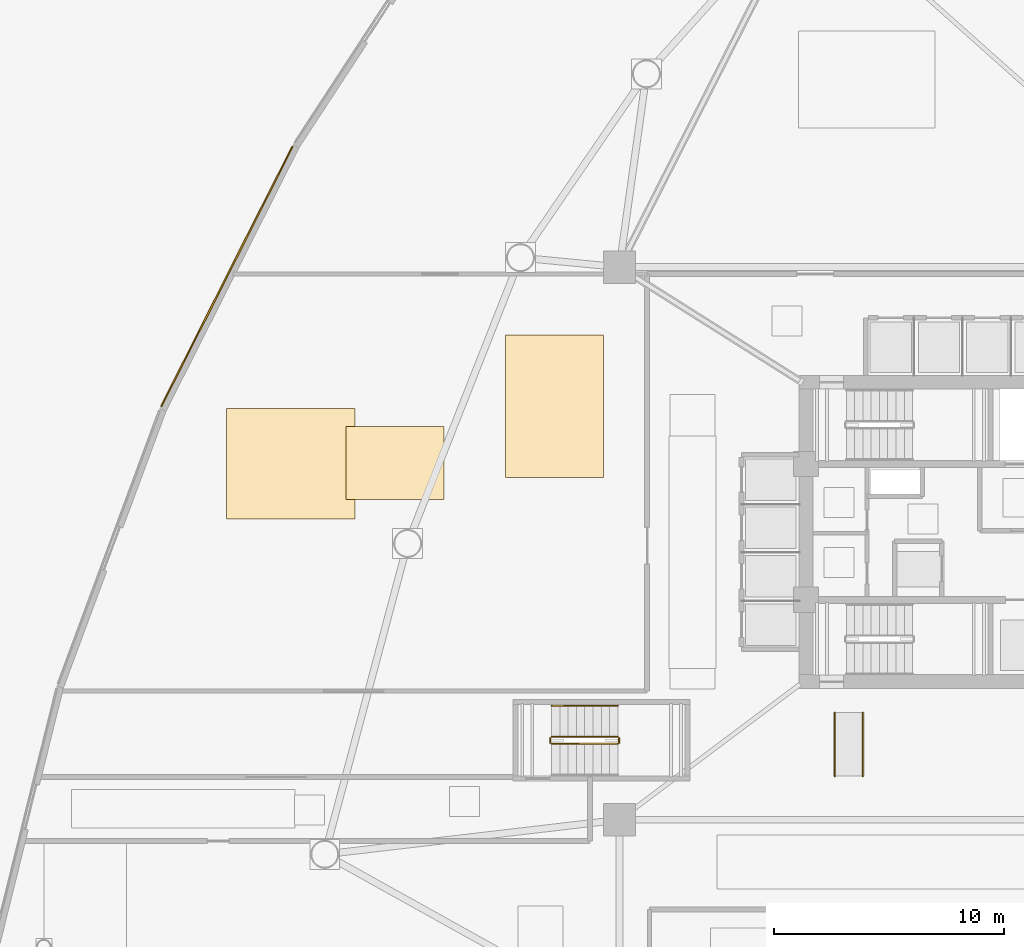
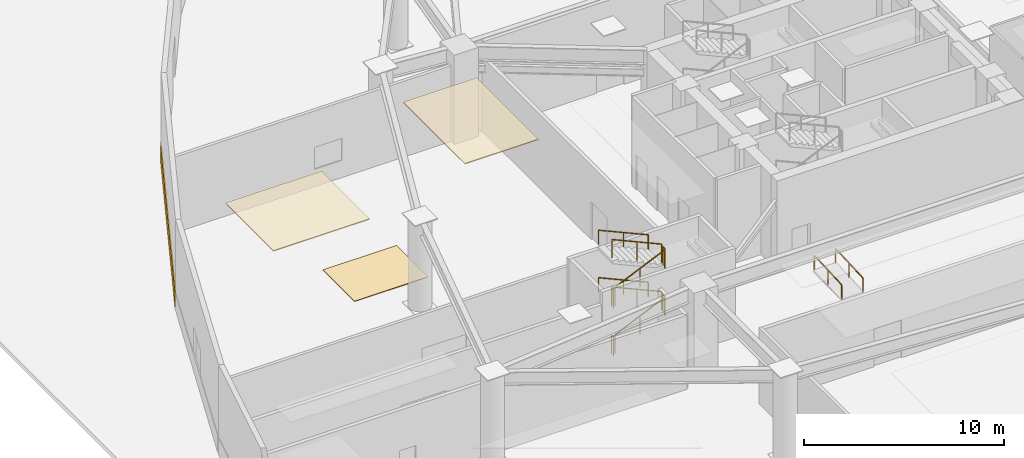
# One storey, part 10 of 13: 12 railings, 4 coverings.
"""IFC4 building model written with IfcOpenShell, lengths in metres."""

from ifc_helpers import new_model, si_unit, direction, frame, origin, origin_2d, place, context, subcontext, project, spatial, polyline, rectangle, outline, extrude, material, layer, layer_set, type_object, element, save


model = new_model("IFC4")

# Units and contexts
model_context = context("Model", 3, precision=1e-05, world=origin(), true_north=direction((0.0, 1.0)))
body_context = subcontext(model_context, "Body", "Model", "MODEL_VIEW")
ifc_project = project(units=[si_unit("LENGTHUNIT", "METRE"), si_unit("AREAUNIT", "SQUARE_METRE"), si_unit("VOLUMEUNIT", "CUBIC_METRE"), si_unit("PLANEANGLEUNIT", "RADIAN"), si_unit("MASSUNIT", "GRAM", prefix="KILO")], contexts=[model_context])

# Site, building, storey
site_placement = place(None, origin())
site = spatial("IfcSite", under=ifc_project, at=site_placement, CompositionType="ELEMENT")
building_placement = place(site_placement, origin())
building = spatial("IfcBuilding", under=site, at=building_placement, Name="Tavelor Broadcast Tower", CompositionType="ELEMENT")
storey_placement = place(building_placement, origin())
storey = spatial("IfcBuildingStorey", under=building, at=storey_placement, Name="L00", CompositionType="ELEMENT", Elevation=0.0)

# Railings
ifc_material_1 = material(Name="Steel S355", Category="steel")
railing_type_1 = type_object("IfcRailingType", Name="Continuous Brushed Stainless Handrail 900 mm", PredefinedType="HANDRAIL", material=ifc_material_1)
for number, where, name in (
    (1, (34.929931640625, 37.449951171875, 1.611083984375), "L00 ST3 stair handrail 2"),
    (2, (34.929931640625, 37.449951171875, 4.51123046875), "L00 ST3 stair handrail 4"),
):
    element("IfcRailing", number, at=place(storey_placement, frame(where)), inside=storey, type_object=railing_type_1, Name=name, PredefinedType="HANDRAIL", context=body_context, shape_type="SweptSolid", body=[
        extrude(rectangle(XDim=0.048095703125, YDim=0.048095703125, at=origin_2d()), frame((0.0, 0.0, 0.8759765625), z_axis=(-0.912765110149, 0.0, 0.408484826761), x_axis=(0.0, -1.0, 0.0)), (0.0, 0.0, 1.0), 3.155029296875),
        extrude(rectangle(XDim=0.0419921875, YDim=0.0419921875, at=origin_2d()), origin(), (0.0, 0.0, 1.0), 0.851806640625),
        extrude(rectangle(XDim=0.0419921875, YDim=0.0419921875, at=origin_2d()), frame((-1.43994140625, 0.0, 0.64453125)), (0.0, 0.0, 1.0), 0.851806640625),
        extrude(rectangle(XDim=0.0419921875, YDim=0.0419921875, at=origin_2d()), frame((-2.8798828125, 0.0, 1.288818359375)), (0.0, 0.0, 1.0), 0.851806640625),
    ])
for number, where, name in (
    (3, (44.35009765625, 34.39990234375, 0.0), "L00 Accessible Ramp Left Handrail"),
    (4, (45.570068359375, 34.39990234375, 0.0), "L00 Accessible Ramp Right Handrail"),
):
    element("IfcRailing", number, at=place(storey_placement, frame(where)), inside=storey, type_object=railing_type_1, Name=name, PredefinedType="HANDRAIL", context=body_context, shape_type="SweptSolid", body=[
        extrude(rectangle(XDim=0.048095703125, YDim=0.048095703125, at=origin_2d()), frame((0.0, 0.0, 0.8759765625), z_axis=(0.0, 0.99870862589, 0.050804336171), x_axis=(-1.0, 0.0, 0.0)), (0.0, 0.0, 1.0), 2.753662109375),
        extrude(rectangle(XDim=0.0419921875, YDim=0.0419921875, at=origin_2d()), origin(), (0.0, 0.0, 1.0), 0.851806640625),
        extrude(rectangle(XDim=0.0419921875, YDim=0.0419921875, at=origin_2d()), frame((0.0, 1.375, 0.06982421875)), (0.0, 0.0, 1.0), 0.851806640625),
        extrude(rectangle(XDim=0.0419921875, YDim=0.0419921875, at=origin_2d()), frame((0.0, 2.75, 0.139892578125)), (0.0, 0.0, 1.0), 0.851806640625),
    ])

# Coverings
ifc_material_2 = material(Name="Acoustic Hardwood Studio Flooring", Category="wood")
ifc_layer_1 = layer(ifc_material_2, 0.034912109375)
ifc_layer_set_1 = layer_set([ifc_layer_1], Name="Acoustic Hardwood Studio Flooring")
covering_type_1 = type_object("IfcCoveringType", Name="Isolated Studio Acoustic Elastomeric Floor Finish 35 mm", PredefinedType="FLOORING", material=ifc_layer_set_1)
covering_1_placement = place(storey_placement, origin())
element("IfcCovering", 5, at=covering_1_placement, inside=storey, type_object=covering_type_1, Name="L00 Broadcast Floor Finish 0009", PredefinedType="FLOORING", context=body_context, shape_type="SweptSolid", body=[
    extrude(outline(polyline([(23.122802734375, 46.40673828125), (27.381103515625, 46.40673828125), (27.381103515625, 49.5703125), (23.122802734375, 49.5703125), (23.122802734375, 46.40673828125)])), origin(), (0.0, 0.0, 1.0), 0.034912109375),
])
ifc_material_3 = material(Name="Acoustic Perforated Timber Baffle", Category="wood")
ifc_layer_2 = layer(ifc_material_3, 0.054931640625)
ifc_layer_set_2 = layer_set([ifc_layer_2], Name="Acoustic Perforated Timber Baffle")
covering_type_2 = type_object("IfcCoveringType", Name="Micro-Perforated Acoustic Baffle Studio Ceiling 55 mm", PredefinedType="CEILING", material=ifc_layer_set_2)
covering_2_placement = place(storey_placement, frame((0.0, 0.0, 5.39501953125)))
element("IfcCovering", 6, at=covering_2_placement, inside=storey, type_object=covering_type_2, Name="L00 Suspended Acoustic Ceiling 0024", PredefinedType="CEILING", context=body_context, shape_type="SweptSolid", body=[
    extrude(outline(polyline([(17.943603515625, 45.560546875), (23.509765625, 45.560546875), (23.509765625, 50.36865234375), (17.943603515625, 50.36865234375), (17.943603515625, 45.560546875)])), origin(), (0.0, 0.0, 1.0), 0.054931640625),
])
covering_3_placement = place(storey_placement, frame((0.0, 0.0, 5.39501953125)))
element("IfcCovering", 7, at=covering_3_placement, inside=storey, type_object=covering_type_2, Name="L00 Suspended Acoustic Ceiling 0025", PredefinedType="CEILING", context=body_context, shape_type="SweptSolid", body=[
    extrude(outline(polyline([(30.04736328125, 47.35498046875), (34.305419921875, 47.35498046875), (34.305419921875, 53.5458984375), (30.04736328125, 53.5458984375), (30.04736328125, 47.35498046875)])), origin(), (0.0, 0.0, 1.0), 0.054931640625),
])
ifc_material_4 = material(Name="Kiln-Fired Glazed Terracotta", Category="masonry")
ifc_layer_3 = layer(ifc_material_4, 0.06494140625)
ifc_layer_set_3 = layer_set([ifc_layer_3], Name="Kiln-Fired Glazed Terracotta")
covering_type_3 = type_object("IfcCoveringType", Name="Ribbed Terracotta Rainscreen Spandrel Cladding 65 mm", PredefinedType="CLADDING", material=ifc_layer_set_3)
covering_4_placement = place(storey_placement, frame((17.9501953125, 56.093994140625, 0.050048828125), z_axis=(0.0, 0.0, 1.0), x_axis=(-0.450565941999, -0.892743150022, 0.0)))
element("IfcCovering", 8, at=covering_4_placement, inside=storey, type_object=covering_type_3, Name="L00 Terracotta Spandrel Rainscreen 08", PredefinedType="CLADDING", context=body_context, shape_type="SweptSolid", body=[
    extrude(rectangle(XDim=12.654296875, YDim=0.06494140625, at=origin_2d()), origin(), (0.0, 0.0, 1.0), 1.0),
])

# Railings
railing_type_2 = type_object("IfcRailingType", Name="Stairwell Steel Safety Guardrail 1150 mm", PredefinedType="GUARDRAIL", material=ifc_material_1)
railing_1_placement = place(storey_placement, frame((32.050048828125, 35.800048828125, 0.1611328125)))
element("IfcRailing", 9, at=railing_1_placement, inside=storey, type_object=railing_type_2, Name="L00 ST3 stair guard 1", PredefinedType="GUARDRAIL", context=body_context, shape_type="SweptSolid", body=[
    extrude(rectangle(XDim=0.048095703125, YDim=0.048095703125, at=origin_2d()), frame((0.0, 0.0, 1.1259765625), z_axis=(0.912765110149, 0.0, 0.408484826761), x_axis=(0.0, 1.0, 0.0)), (0.0, 0.0, 1.0), 3.155029296875),
    extrude(rectangle(XDim=0.0419921875, YDim=0.0419921875, at=origin_2d()), origin(), (0.0, 0.0, 1.0), 1.101806640625),
    extrude(rectangle(XDim=0.0419921875, YDim=0.0419921875, at=origin_2d()), frame((1.43994140625, 0.0, 0.64453125)), (0.0, 0.0, 1.0), 1.101806640625),
    extrude(rectangle(XDim=0.0419921875, YDim=0.0419921875, at=origin_2d()), frame((2.8798828125, 0.0, 1.288818359375)), (0.0, 0.0, 1.0), 1.101806640625),
])
railing_2_placement = place(storey_placement, frame((34.97998046875, 35.85009765625, 1.449951171875)))
element("IfcRailing", 10, at=railing_2_placement, inside=storey, type_object=railing_type_2, Name="L00 ST3 stair guard 2", PredefinedType="GUARDRAIL", context=body_context, shape_type="SweptSolid", body=[
    extrude(rectangle(XDim=0.048095703125, YDim=0.048095703125, at=origin_2d()), frame((0.0, 0.0, 1.1259765625), z_axis=(0.0, 1.0, 0.0), x_axis=(-1.0, 0.0, 0.0)), (0.0, 0.0, 1.0), 0.199951171875),
    extrude(rectangle(XDim=0.0419921875, YDim=0.0419921875, at=origin_2d()), origin(), (0.0, 0.0, 1.0), 1.101806640625),
    extrude(rectangle(XDim=0.0419921875, YDim=0.0419921875, at=origin_2d()), frame((0.0, 0.199951171875, 0.0)), (0.0, 0.0, 1.0), 1.101806640625),
])
railing_3_placement = place(storey_placement, frame((34.929931640625, 36.10009765625, 1.611083984375)))
element("IfcRailing", 11, at=railing_3_placement, inside=storey, type_object=railing_type_2, Name="L00 ST3 stair guard 3", PredefinedType="GUARDRAIL", context=body_context, shape_type="SweptSolid", body=[
    extrude(rectangle(XDim=0.048095703125, YDim=0.048095703125, at=origin_2d()), frame((0.0, 0.0, 1.1259765625), z_axis=(-0.912765110149, 0.0, 0.408484826761), x_axis=(0.0, -1.0, 0.0)), (0.0, 0.0, 1.0), 3.155029296875),
    extrude(rectangle(XDim=0.0419921875, YDim=0.0419921875, at=origin_2d()), origin(), (0.0, 0.0, 1.0), 1.101806640625),
    extrude(rectangle(XDim=0.0419921875, YDim=0.0419921875, at=origin_2d()), frame((-1.43994140625, 0.0, 0.64453125)), (0.0, 0.0, 1.0), 1.101806640625),
    extrude(rectangle(XDim=0.0419921875, YDim=0.0419921875, at=origin_2d()), frame((-2.8798828125, 0.0, 1.288818359375)), (0.0, 0.0, 1.0), 1.101806640625),
])
railing_4_placement = place(storey_placement, frame((32.0, 35.85009765625, 2.89990234375)))
element("IfcRailing", 12, at=railing_4_placement, inside=storey, type_object=railing_type_2, Name="L00 ST3 stair guard 4", PredefinedType="GUARDRAIL", context=body_context, shape_type="SweptSolid", body=[
    extrude(rectangle(XDim=0.048095703125, YDim=0.048095703125, at=origin_2d()), frame((0.0, 0.0, 1.1259765625), z_axis=(0.0, 1.0, 0.0), x_axis=(-1.0, 0.0, 0.0)), (0.0, 0.0, 1.0), 0.199951171875),
    extrude(rectangle(XDim=0.0419921875, YDim=0.0419921875, at=origin_2d()), origin(), (0.0, 0.0, 1.0), 1.101806640625),
    extrude(rectangle(XDim=0.0419921875, YDim=0.0419921875, at=origin_2d()), frame((0.0, 0.199951171875, 0.0)), (0.0, 0.0, 1.0), 1.101806640625),
])
railing_5_placement = place(storey_placement, frame((32.050048828125, 35.800048828125, 3.06103515625)))
element("IfcRailing", 13, at=railing_5_placement, inside=storey, type_object=railing_type_2, Name="L00 ST3 stair guard 5", PredefinedType="GUARDRAIL", context=body_context, shape_type="SweptSolid", body=[
    extrude(rectangle(XDim=0.048095703125, YDim=0.048095703125, at=origin_2d()), frame((0.0, 0.0, 1.1259765625), z_axis=(0.912736257894, 0.0, 0.408549291428), x_axis=(0.0, 1.0, 0.0)), (0.0, 0.0, 1.0), 3.1552734375),
    extrude(rectangle(XDim=0.0419921875, YDim=0.0419921875, at=origin_2d()), origin(), (0.0, 0.0, 1.0), 1.101806640625),
    extrude(rectangle(XDim=0.0419921875, YDim=0.0419921875, at=origin_2d()), frame((1.43994140625, 0.0, 0.64453125)), (0.0, 0.0, 1.0), 1.101806640625),
    extrude(rectangle(XDim=0.0419921875, YDim=0.0419921875, at=origin_2d()), frame((2.8798828125, 0.0, 1.2890625)), (0.0, 0.0, 1.0), 1.101806640625),
])
railing_6_placement = place(storey_placement, frame((34.97998046875, 35.85009765625, 4.35009765625)))
element("IfcRailing", 14, at=railing_6_placement, inside=storey, type_object=railing_type_2, Name="L00 ST3 stair guard 6", PredefinedType="GUARDRAIL", context=body_context, shape_type="SweptSolid", body=[
    extrude(rectangle(XDim=0.048095703125, YDim=0.048095703125, at=origin_2d()), frame((0.0, 0.0, 1.1259765625), z_axis=(0.0, 1.0, 0.0), x_axis=(-1.0, 0.0, 0.0)), (0.0, 0.0, 1.0), 0.199951171875),
    extrude(rectangle(XDim=0.0419921875, YDim=0.0419921875, at=origin_2d()), origin(), (0.0, 0.0, 1.0), 1.101806640625),
    extrude(rectangle(XDim=0.0419921875, YDim=0.0419921875, at=origin_2d()), frame((0.0, 0.199951171875, 0.0)), (0.0, 0.0, 1.0), 1.101806640625),
])
railing_7_placement = place(storey_placement, frame((34.929931640625, 36.10009765625, 4.51123046875)))
element("IfcRailing", 15, at=railing_7_placement, inside=storey, type_object=railing_type_2, Name="L00 ST3 stair guard 7", PredefinedType="GUARDRAIL", context=body_context, shape_type="SweptSolid", body=[
    extrude(rectangle(XDim=0.048095703125, YDim=0.048095703125, at=origin_2d()), frame((0.0, 0.0, 1.1259765625), z_axis=(-0.912765110149, 0.0, 0.408484826761), x_axis=(0.0, -1.0, 0.0)), (0.0, 0.0, 1.0), 3.155029296875),
    extrude(rectangle(XDim=0.0419921875, YDim=0.0419921875, at=origin_2d()), origin(), (0.0, 0.0, 1.0), 1.101806640625),
    extrude(rectangle(XDim=0.0419921875, YDim=0.0419921875, at=origin_2d()), frame((-1.43994140625, 0.0, 0.64453125)), (0.0, 0.0, 1.0), 1.101806640625),
    extrude(rectangle(XDim=0.0419921875, YDim=0.0419921875, at=origin_2d()), frame((-2.8798828125, 0.0, 1.288818359375)), (0.0, 0.0, 1.0), 1.101806640625),
])
railing_8_placement = place(storey_placement, frame((32.0, 35.85009765625, 0.0)))
element("IfcRailing", 16, at=railing_8_placement, inside=storey, type_object=railing_type_2, Name="L00 ST3 stair guard 8", PredefinedType="GUARDRAIL", context=body_context, shape_type="SweptSolid", body=[
    extrude(rectangle(XDim=0.048095703125, YDim=0.048095703125, at=origin_2d()), frame((0.0, 0.0, 1.1259765625), z_axis=(0.0, 1.0, 0.0), x_axis=(-1.0, 0.0, 0.0)), (0.0, 0.0, 1.0), 0.199951171875),
    extrude(rectangle(XDim=0.0419921875, YDim=0.0419921875, at=origin_2d()), origin(), (0.0, 0.0, 1.0), 1.101806640625),
    extrude(rectangle(XDim=0.0419921875, YDim=0.0419921875, at=origin_2d()), frame((0.0, 0.199951171875, 0.0)), (0.0, 0.0, 1.0), 1.101806640625),
])

save(model, "model.ifc")
